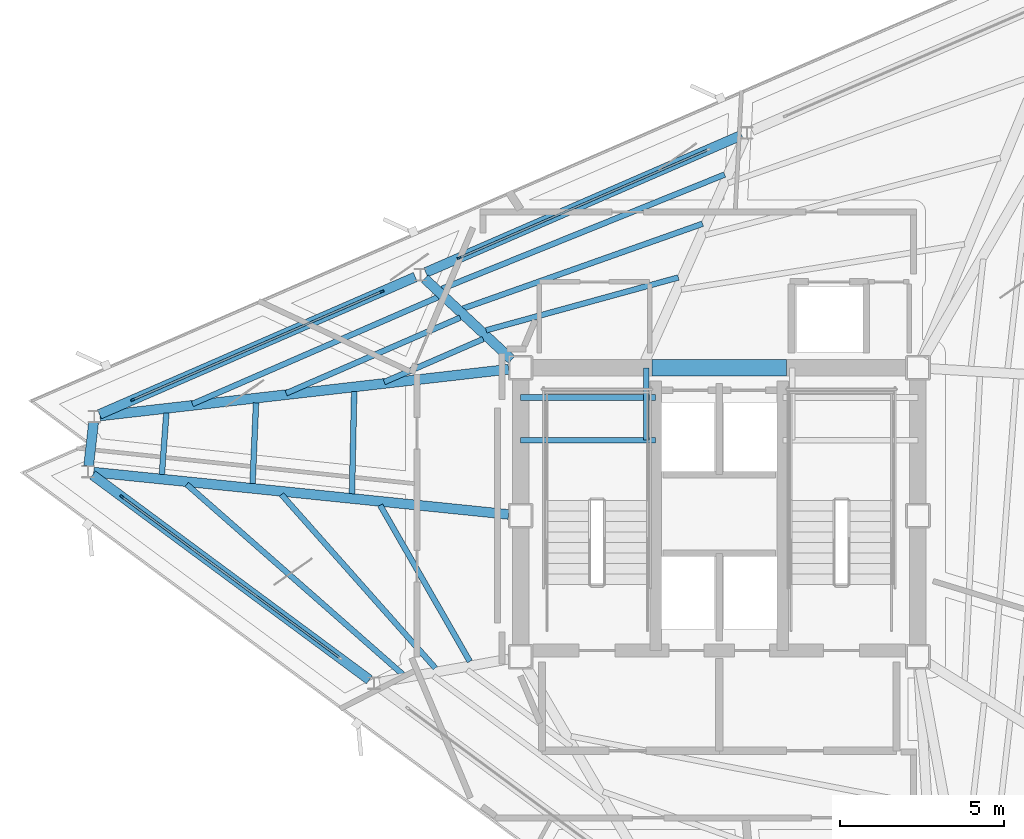
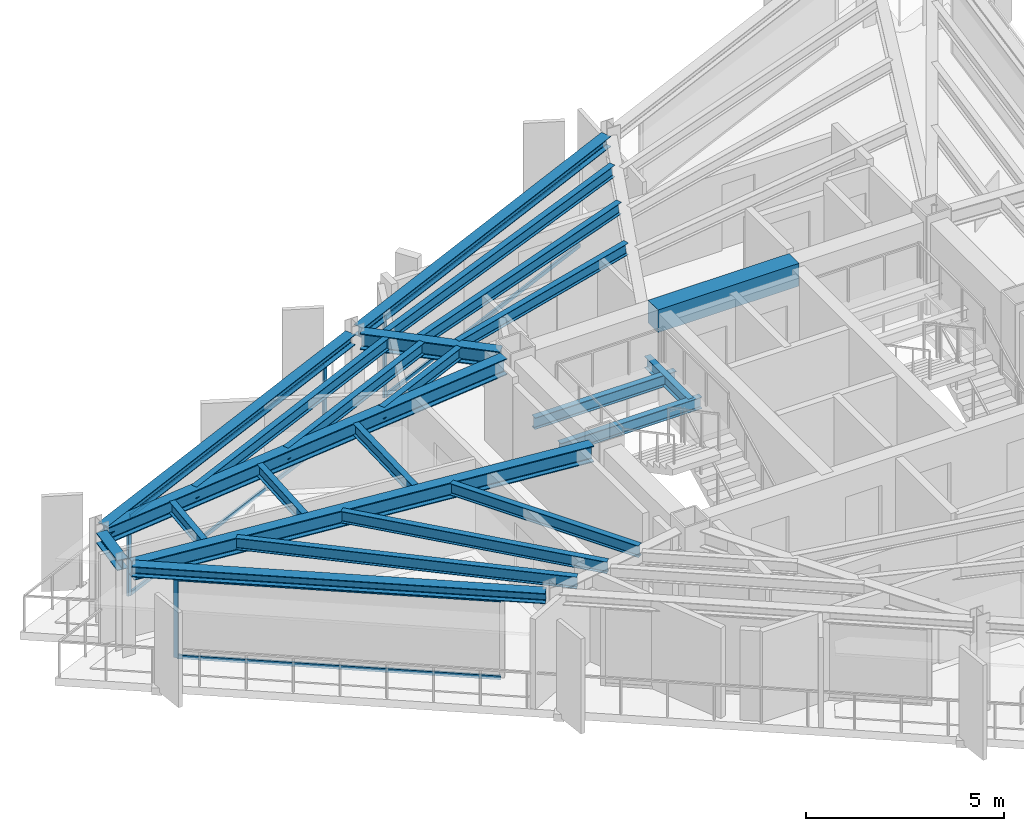
# One storey, part 3 of 10: 23 beams, 10 members, 3 elements without a shape of their own.
"""IFC4 building model written with IfcOpenShell, lengths in metres."""

from ifc_helpers import new_model, si_unit, direction, frame, origin, origin_2d, place, context, subcontext, project, spatial, rectangle, i_section, extrude, material, layer, layer_set, material_profile, profile_set, type_object, element, aggregate, save


model = new_model("IFC4")

# Units and contexts
model_context = context("Model", 3, precision=1e-05, world=origin(), true_north=direction((0.0, 1.0)))
body_context = subcontext(model_context, "Body", "Model", "MODEL_VIEW")
ifc_project = project(units=[si_unit("LENGTHUNIT", "METRE"), si_unit("AREAUNIT", "SQUARE_METRE"), si_unit("VOLUMEUNIT", "CUBIC_METRE"), si_unit("PLANEANGLEUNIT", "RADIAN"), si_unit("MASSUNIT", "GRAM", prefix="KILO")], contexts=[model_context])

# Site, building, storey
site_placement = place(None, origin())
site = spatial("IfcSite", under=ifc_project, at=site_placement, CompositionType="ELEMENT")
building_placement = place(site_placement, origin())
building = spatial("IfcBuilding", under=site, at=building_placement, Name="Rocaltana Carrier Exchange", CompositionType="ELEMENT")
storey_placement = place(building_placement, frame((0.0, 0.0, 230.080078125)))
storey = spatial("IfcBuildingStorey", under=building, at=storey_placement, Name="L73", CompositionType="ELEMENT", Elevation=230.080078125)

# Curtain wall, member
ifc_material_1 = material(Name="Aluminium 6063-T6", Category="aluminium")
ifc_layer = layer(ifc_material_1, 0.1201171875)
ifc_layer_set = layer_set([ifc_layer], Name="Aluminium 6063-T6")
curtain_wall_type = type_object("IfcCurtainWallType", Name="High-Altitude Thermal Curtain Wall CW-05", PredefinedType="NOTDEFINED", material=ifc_layer_set)
curtain_wall_1_placement = place(storey_placement, origin())
curtain_wall_1 = element("IfcCurtainWall", 1, at=curtain_wall_1_placement, inside=storey, type_object=curtain_wall_type, Name="L73 CW-05 Run CW-L73-F2S2", PredefinedType="NOTDEFINED")
ifc_material_2 = material(Name="Aluminium 6063-T6", Category="aluminium")
ifc_material_profile_1 = material_profile(ifc_material_2, rectangle(XDim=0.06005859375, YDim=0.1201171875, at=origin_2d()), Name="AL-60X120")
ifc_profile_set_1 = profile_set([ifc_material_profile_1], Name="Aluminium 6063-T6")
member_type_1 = type_object("IfcMemberType", Name="CW-05 Mullion AL-60X120", PredefinedType="MULLION", material=ifc_profile_set_1)
member_1_placement = place(storey_placement, frame((-7.922607421875, 7.846435546875, 0.0), z_axis=(0.0, 0.0, 1.0), x_axis=(0.398752438254, -0.917058609352, 0.0)))
member_1 = element("IfcMember", 2, at=member_1_placement, type_object=member_type_1, Name="CW-05 mullion 2", PredefinedType="MULLION", context=body_context, shape_type="SweptSolid", body=[
    extrude(rectangle(XDim=0.06005859375, YDim=0.1201171875, at=origin_2d()), origin(), (0.0, 0.0, 1.0), 2.447998046875),
])

# Curtain wall, members
curtain_wall_2_placement = place(storey_placement, origin())
curtain_wall_2 = element("IfcCurtainWall", 3, at=curtain_wall_2_placement, inside=storey, type_object=curtain_wall_type, Name="L73 CW-05 Run CW-L73-F2S3", PredefinedType="NOTDEFINED")
member_2_placement = place(storey_placement, frame((-10.270263671875, 6.82568359375, 0.0), z_axis=(0.0, 0.0, 1.0), x_axis=(0.39875682637, -0.917056701313, 0.0)))
member_2 = element("IfcMember", 4, at=member_2_placement, type_object=member_type_1, Name="CW-05 mullion 1", PredefinedType="MULLION", context=body_context, shape_type="SweptSolid", body=[
    extrude(rectangle(XDim=0.06005859375, YDim=0.1201171875, at=origin_2d()), origin(), (0.0, 0.0, 1.0), 2.447998046875),
])
member_3_placement = place(storey_placement, frame((-17.857421875, 3.526611328125, 0.0), z_axis=(0.0, 0.0, 1.0), x_axis=(0.39875682637, -0.917056701313, 0.0)))
member_3 = element("IfcMember", 5, at=member_3_placement, type_object=member_type_1, Name="CW-05 mullion 2", PredefinedType="MULLION", context=body_context, shape_type="SweptSolid", body=[
    extrude(rectangle(XDim=0.06005859375, YDim=0.1201171875, at=origin_2d()), origin(), (0.0, 0.0, 1.0), 2.447998046875),
])

# Curtain wall, member
curtain_wall_3_placement = place(storey_placement, origin())
curtain_wall_3 = element("IfcCurtainWall", 6, at=curtain_wall_3_placement, inside=storey, type_object=curtain_wall_type, Name="L73 CW-05 Run CW-L73-F3S1", PredefinedType="NOTDEFINED")
member_4_placement = place(storey_placement, frame((-18.19287109375, 0.580810546875, 0.0), z_axis=(0.0, 0.0, 1.0), x_axis=(0.594826566974, 0.803854063386, 0.0)))
member_4 = element("IfcMember", 7, at=member_4_placement, type_object=member_type_1, Name="CW-05 mullion 1", PredefinedType="MULLION", context=body_context, shape_type="SweptSolid", body=[
    extrude(rectangle(XDim=0.06005859375, YDim=0.1201171875, at=origin_2d()), origin(), (0.0, 0.0, 1.0), 2.447998046875),
])

# Member
ifc_material_3 = material(Name="Aluminium 6063-T6", Category="aluminium")
ifc_material_profile_2 = material_profile(ifc_material_3, rectangle(XDim=0.06005859375, YDim=0.1201171875, at=origin_2d()), Name="AL-60X120")
ifc_profile_set_2 = profile_set([ifc_material_profile_2], Name="Aluminium 6063-T6")
member_type_2 = type_object("IfcMemberType", Name="CW-05 Transom AL-60X120", PredefinedType="USERDEFINED", material=ifc_profile_set_2)
member_5_placement = place(storey_placement, frame((-0.36279296875, 11.133544921875, 0.030029296875), z_axis=(-0.917058241688, -0.398753283814, 0.0), x_axis=(0.398753283814, -0.917058241688, 0.0)))
member_5 = element("IfcMember", 8, at=member_5_placement, type_object=member_type_2, Name="CW-05 transom 1.1", ObjectType="TRANSOM", PredefinedType="USERDEFINED", context=body_context, shape_type="SweptSolid", body=[
    extrude(rectangle(XDim=0.06005859375, YDim=0.1201171875, at=origin_2d()), origin(), (0.0, 0.0, 1.0), 8.21337890625),
])

member_6_placement = place(storey_placement, frame((-0.36279296875, 11.133544921875, 2.41796875), z_axis=(-0.917058241688, -0.398753283814, 0.0), x_axis=(0.398753283814, -0.917058241688, 0.0)))
member_6 = element("IfcMember", 9, at=member_6_placement, type_object=member_type_2, Name="CW-05 transom 1.2", ObjectType="TRANSOM", PredefinedType="USERDEFINED", context=body_context, shape_type="SweptSolid", body=[
    extrude(rectangle(XDim=0.06005859375, YDim=0.1201171875, at=origin_2d()), origin(), (0.0, 0.0, 1.0), 8.21337890625),
])

aggregate(curtain_wall_1, [member_1, member_5, member_6])

member_7_placement = place(storey_placement, frame((-10.297607421875, 6.813720703125, 0.030029296875), z_axis=(-0.917058241688, -0.398753283814, 0.0), x_axis=(0.398753283814, -0.917058241688, 0.0)))
member_7 = element("IfcMember", 10, at=member_7_placement, type_object=member_type_2, Name="CW-05 transom 1.1", ObjectType="TRANSOM", PredefinedType="USERDEFINED", context=body_context, shape_type="SweptSolid", body=[
    extrude(rectangle(XDim=0.06005859375, YDim=0.1201171875, at=origin_2d()), origin(), (0.0, 0.0, 1.0), 8.21337890625),
])

member_8_placement = place(storey_placement, frame((-10.297607421875, 6.813720703125, 2.41796875), z_axis=(-0.917058241688, -0.398753283814, 0.0), x_axis=(0.398753283814, -0.917058241688, 0.0)))
member_8 = element("IfcMember", 11, at=member_8_placement, type_object=member_type_2, Name="CW-05 transom 1.2", ObjectType="TRANSOM", PredefinedType="USERDEFINED", context=body_context, shape_type="SweptSolid", body=[
    extrude(rectangle(XDim=0.06005859375, YDim=0.1201171875, at=origin_2d()), origin(), (0.0, 0.0, 1.0), 8.21337890625),
])

aggregate(curtain_wall_2, [member_2, member_3, member_7, member_8])

member_9_placement = place(storey_placement, frame((-18.1689453125, 0.56298828125, 0.030029296875), z_axis=(0.803853553959, -0.594827255418, 0.0), x_axis=(0.594827255418, 0.803853553959, 0.0)))
member_9 = element("IfcMember", 12, at=member_9_placement, type_object=member_type_2, Name="CW-05 transom 1.1", ObjectType="TRANSOM", PredefinedType="USERDEFINED", context=body_context, shape_type="SweptSolid", body=[
    extrude(rectangle(XDim=0.06005859375, YDim=0.1201171875, at=origin_2d()), origin(), (0.0, 0.0, 1.0), 8.21337890625),
])

member_10_placement = place(storey_placement, frame((-18.1689453125, 0.56298828125, 2.41796875), z_axis=(0.803853553959, -0.594827255418, 0.0), x_axis=(0.594827255418, 0.803853553959, 0.0)))
member_10 = element("IfcMember", 13, at=member_10_placement, type_object=member_type_2, Name="CW-05 transom 1.2", ObjectType="TRANSOM", PredefinedType="USERDEFINED", context=body_context, shape_type="SweptSolid", body=[
    extrude(rectangle(XDim=0.06005859375, YDim=0.1201171875, at=origin_2d()), origin(), (0.0, 0.0, 1.0), 8.21337890625),
])

aggregate(curtain_wall_3, [member_4, member_9, member_10])

# Beams
ifc_material_4 = material(Name="Concrete C60/75", Category="concrete")
ifc_material_profile_3 = material_profile(ifc_material_4, rectangle(XDim=0.5, YDim=0.699951171875, at=origin_2d()), Name="RC-BM-500X700")
ifc_profile_set_3 = profile_set([ifc_material_profile_3], Name="Concrete C60/75")
beam_type_1 = type_object("IfcBeamType", Name="Core Coupling Lintel 500x700", PredefinedType="LINTEL", material=ifc_profile_set_3)
beam_1_placement = place(storey_placement, frame((-2.050048828125, 4.5, 2.447998046875), z_axis=(1.0, 0.0, 0.0), x_axis=(0.0, 1.0, 0.0)))
element("IfcBeam", 14, at=beam_1_placement, inside=storey, type_object=beam_type_1, Name="L73 Core Coupling Lintel CL-N", PredefinedType="LINTEL", context=body_context, shape_type="SweptSolid", body=[
    extrude(rectangle(XDim=0.5, YDim=0.699951171875, at=origin_2d()), origin(), (0.0, 0.0, 1.0), 4.10009765625),
])
ifc_material_5 = material(Name="Steel S355", Category="steel")
ifc_material_profile_4 = material_profile(ifc_material_5, i_section(OverallWidth=0.172119140625, OverallDepth=0.35791015625, WebThickness=0.0078125, FlangeThickness=0.01318359375, FilletRadius=0.011962890625, at=origin_2d()), Name="W14X38")
ifc_profile_set_4 = profile_set([ifc_material_profile_4], Name="Steel S355")
beam_type_2 = type_object("IfcBeamType", Name="Floor Joist W14X38", PredefinedType="JOIST", material=ifc_profile_set_4)
for number, where, z_axis, x_axis, name in (
    (15, (-6.050048828125, 2.300048828125, 1.140869140625), (1.0, 0.0, 0.0), (0.0, 1.0, 0.0), "L73 ST-1 Landing Carrier 1"),
    (16, (-6.050048828125, 3.60009765625, 1.140869140625), (1.0, 0.0, 0.0), (0.0, 1.0, 0.0), "L73 ST-1 Landing Carrier 2"),
):
    element("IfcBeam", number, at=place(storey_placement, frame(where, z_axis=z_axis, x_axis=x_axis)), inside=storey, type_object=beam_type_2, Name=name, PredefinedType="JOIST", context=body_context, shape_type="SweptSolid", body=[
        extrude(i_section(OverallWidth=0.172119140625, OverallDepth=0.35791015625, WebThickness=0.0078125, FlangeThickness=0.01318359375, FilletRadius=0.011962890625, at=origin_2d()), origin(), (0.0, 0.0, 1.0), 4.110107421875),
    ])
beam_2_placement = place(storey_placement, frame((-2.219970703125, 2.300048828125, 1.140869140625), z_axis=(0.0, 1.0, 0.0), x_axis=(-1.0, 0.0, 0.0)))
element("IfcBeam", 17, at=beam_2_placement, inside=storey, type_object=beam_type_2, Name="L73 ST-1 Landing Cross Trimmer", PredefinedType="JOIST", context=body_context, shape_type="SweptSolid", body=[
    extrude(i_section(OverallWidth=0.172119140625, OverallDepth=0.35791015625, WebThickness=0.0078125, FlangeThickness=0.01318359375, FilletRadius=0.011962890625, at=origin_2d()), origin(), (0.0, 0.0, 1.0), 2.199951171875),
])
beam_3_placement = place(storey_placement, frame((-1.245361328125, 7.252685546875, 2.618896484375), z_axis=(-0.964263719162, -0.26494429586, 0.0), x_axis=(0.26494429586, -0.964263719162, 0.0)))
element("IfcBeam", 18, at=beam_3_placement, inside=storey, type_object=beam_type_2, Name="FJ-L73-06-1", PredefinedType="JOIST", context=body_context, shape_type="SweptSolid", body=[
    extrude(i_section(OverallWidth=0.172119140625, OverallDepth=0.35791015625, WebThickness=0.0078125, FlangeThickness=0.01318359375, FilletRadius=0.011962890625, at=origin_2d()), origin(), (0.0, 0.0, 1.0), 6.07080078125),
])
beam_4_placement = place(storey_placement, frame((-0.5087890625, 8.888427734375, 2.618896484375), z_axis=(-0.942681203014, -0.333694695019, 0.0), x_axis=(0.333694695019, -0.942681203014, 0.0)))
element("IfcBeam", 19, at=beam_4_placement, inside=storey, type_object=beam_type_2, Name="FJ-L73-06-2", PredefinedType="JOIST", context=body_context, shape_type="SweptSolid", body=[
    extrude(i_section(OverallWidth=0.172119140625, OverallDepth=0.35791015625, WebThickness=0.0078125, FlangeThickness=0.01318359375, FilletRadius=0.011962890625, at=origin_2d()), origin(), (0.0, 0.0, 1.0), 7.73779296875),
])
beam_5_placement = place(storey_placement, frame((0.162841796875, 10.385498046875, 2.618896484375), z_axis=(-0.927185285553, -0.374603051582, 0.0), x_axis=(0.374603051582, -0.927185285553, 0.0)))
element("IfcBeam", 20, at=beam_5_placement, inside=storey, type_object=beam_type_2, Name="FJ-L73-06-3", PredefinedType="JOIST", context=body_context, shape_type="SweptSolid", body=[
    extrude(i_section(OverallWidth=0.172119140625, OverallDepth=0.35791015625, WebThickness=0.0078125, FlangeThickness=0.01318359375, FilletRadius=0.011962890625, at=origin_2d()), origin(), (0.0, 0.0, 1.0), 9.283935546875),
])
beam_6_placement = place(storey_placement, frame((-7.1875, 5.37841796875, 2.618896484375), z_axis=(-0.917065332478, -0.398736975923, 0.0), x_axis=(0.398736975923, -0.917065332478, 0.0)))
element("IfcBeam", 21, at=beam_6_placement, inside=storey, type_object=beam_type_2, Name="FJ-L73-07-1", PredefinedType="JOIST", context=body_context, shape_type="SweptSolid", body=[
    extrude(i_section(OverallWidth=0.172119140625, OverallDepth=0.35791015625, WebThickness=0.0078125, FlangeThickness=0.01318359375, FilletRadius=0.011962890625, at=origin_2d()), origin(), (0.0, 0.0, 1.0), 3.286865234375),
])
beam_7_placement = place(storey_placement, frame((-7.887939453125, 6.03076171875, 2.618896484375), z_axis=(-0.917067369584, -0.398732290696, 0.0), x_axis=(0.398732290696, -0.917067369584, 0.0)))
element("IfcBeam", 22, at=beam_7_placement, inside=storey, type_object=beam_type_2, Name="FJ-L73-07-2", PredefinedType="JOIST", context=body_context, shape_type="SweptSolid", body=[
    extrude(i_section(OverallWidth=0.172119140625, OverallDepth=0.35791015625, WebThickness=0.0078125, FlangeThickness=0.01318359375, FilletRadius=0.011962890625, at=origin_2d()), origin(), (0.0, 0.0, 1.0), 5.77880859375),
])
beam_8_placement = place(storey_placement, frame((-8.55810546875, 6.65478515625, 2.618896484375), z_axis=(-0.917059118447, -0.398751267426, 0.0), x_axis=(0.398751267426, -0.917059118447, 0.0)))
element("IfcBeam", 23, at=beam_8_placement, inside=storey, type_object=beam_type_2, Name="FJ-L73-07-3", PredefinedType="JOIST", context=body_context, shape_type="SweptSolid", body=[
    extrude(i_section(OverallWidth=0.172119140625, OverallDepth=0.35791015625, WebThickness=0.0078125, FlangeThickness=0.01318359375, FilletRadius=0.011962890625, at=origin_2d()), origin(), (0.0, 0.0, 1.0), 8.162109375),
])
beam_9_placement = place(storey_placement, frame((-11.11572265625, 3.77734375, 2.618896484375), z_axis=(-0.021897715524, -0.999760216279, 0.0), x_axis=(0.999760216279, -0.021897715524, 0.0)))
element("IfcBeam", 24, at=beam_9_placement, inside=storey, type_object=beam_type_2, Name="FJ-L73-08-1", PredefinedType="JOIST", context=body_context, shape_type="SweptSolid", body=[
    extrude(i_section(OverallWidth=0.172119140625, OverallDepth=0.35791015625, WebThickness=0.0078125, FlangeThickness=0.01318359375, FilletRadius=0.011962890625, at=origin_2d()), origin(), (0.0, 0.0, 1.0), 3.110595703125),
])
beam_10_placement = place(storey_placement, frame((-14.1044921875, 3.436279296875, 2.618896484375), z_axis=(-0.04302848557, -0.999073845834, 0.0), x_axis=(0.999073845834, -0.04302848557, 0.0)))
element("IfcBeam", 25, at=beam_10_placement, inside=storey, type_object=beam_type_2, Name="FJ-L73-08-2", PredefinedType="JOIST", context=body_context, shape_type="SweptSolid", body=[
    extrude(i_section(OverallWidth=0.172119140625, OverallDepth=0.35791015625, WebThickness=0.0078125, FlangeThickness=0.01318359375, FilletRadius=0.011962890625, at=origin_2d()), origin(), (0.0, 0.0, 1.0), 2.46240234375),
])
beam_11_placement = place(storey_placement, frame((-16.8349609375, 3.124755859375, 2.618896484375), z_axis=(-0.07328566638, -0.997310990165, 0.0), x_axis=(0.997310990165, -0.07328566638, 0.0)))
element("IfcBeam", 26, at=beam_11_placement, inside=storey, type_object=beam_type_2, Name="FJ-L73-08-3", PredefinedType="JOIST", context=body_context, shape_type="SweptSolid", body=[
    extrude(i_section(OverallWidth=0.172119140625, OverallDepth=0.35791015625, WebThickness=0.0078125, FlangeThickness=0.01318359375, FilletRadius=0.011962890625, at=origin_2d()), origin(), (0.0, 0.0, 1.0), 1.872314453125),
])
beam_12_placement = place(storey_placement, frame((-10.3251953125, 0.318115234375, 2.618896484375), z_axis=(0.497781973969, -0.867302200153, 0.0), x_axis=(0.867302200153, 0.497781973969, 0.0)))
element("IfcBeam", 27, at=beam_12_placement, inside=storey, type_object=beam_type_2, Name="FJ-L73-09-1", PredefinedType="JOIST", context=body_context, shape_type="SweptSolid", body=[
    extrude(i_section(OverallWidth=0.172119140625, OverallDepth=0.35791015625, WebThickness=0.0078125, FlangeThickness=0.01318359375, FilletRadius=0.011962890625, at=origin_2d()), origin(), (0.0, 0.0, 1.0), 5.48583984375),
])
beam_13_placement = place(storey_placement, frame((-13.330810546875, 0.643798828125, 2.618896484375), z_axis=(0.663404294512, -0.748261145605, 0.0), x_axis=(0.748261145605, 0.663404294512, 0.0)))
element("IfcBeam", 28, at=beam_13_placement, inside=storey, type_object=beam_type_2, Name="FJ-L73-09-2", PredefinedType="JOIST", context=body_context, shape_type="SweptSolid", body=[
    extrude(i_section(OverallWidth=0.172119140625, OverallDepth=0.35791015625, WebThickness=0.0078125, FlangeThickness=0.01318359375, FilletRadius=0.011962890625, at=origin_2d()), origin(), (0.0, 0.0, 1.0), 7.063232421875),
])
beam_14_placement = place(storey_placement, frame((-16.2158203125, 0.951904296875, 2.618896484375), z_axis=(0.750985569643, -0.66031861566, 0.0), x_axis=(0.66031861566, 0.750985569643, 0.0)))
element("IfcBeam", 29, at=beam_14_placement, inside=storey, type_object=beam_type_2, Name="FJ-L73-09-3", PredefinedType="JOIST", context=body_context, shape_type="SweptSolid", body=[
    extrude(i_section(OverallWidth=0.172119140625, OverallDepth=0.35791015625, WebThickness=0.0078125, FlangeThickness=0.01318359375, FilletRadius=0.011962890625, at=origin_2d()), origin(), (0.0, 0.0, 1.0), 8.7568359375),
])
ifc_material_6 = material(Name="Steel S355", Category="steel")
ifc_material_profile_5 = material_profile(ifc_material_6, i_section(OverallWidth=0.300048828125, OverallDepth=0.320068359375, WebThickness=0.011474609375, FlangeThickness=0.0205078125, FilletRadius=0.027099609375, at=origin_2d()), Name="HEB320")
ifc_profile_set_5 = profile_set([ifc_material_profile_5], Name="Steel S355")
beam_type_3 = type_object("IfcBeamType", Name="Spandrel Edge Beam HEB320", PredefinedType="SPANDREL", material=ifc_profile_set_5)
beam_15_placement = place(storey_placement, frame((0.678955078125, 11.58642578125, 2.637939453125), z_axis=(-0.917064503536, -0.398738882421, 0.0), x_axis=(0.398738882421, -0.917064503536, 0.0)))
element("IfcBeam", 30, at=beam_15_placement, inside=storey, type_object=beam_type_3, Name="SP-L73-06", PredefinedType="SPANDREL", context=body_context, shape_type="SweptSolid", body=[
    extrude(i_section(OverallWidth=0.300048828125, OverallDepth=0.320068359375, WebThickness=0.011474609375, FlangeThickness=0.0205078125, FilletRadius=0.027099609375, at=origin_2d()), origin(), (0.0, 0.0, 1.0), 10.4853515625),
])
beam_16_placement = place(storey_placement, frame((-9.256103515625, 7.2666015625, 2.637939453125), z_axis=(-0.917060801428, -0.398747396838, 0.0), x_axis=(0.398747396838, -0.917060801428, 0.0)))
element("IfcBeam", 31, at=beam_16_placement, inside=storey, type_object=beam_type_3, Name="SP-L73-07", PredefinedType="SPANDREL", context=body_context, shape_type="SweptSolid", body=[
    extrude(i_section(OverallWidth=0.300048828125, OverallDepth=0.320068359375, WebThickness=0.011474609375, FlangeThickness=0.0205078125, FilletRadius=0.027099609375, at=origin_2d()), origin(), (0.0, 0.0, 1.0), 10.485107421875),
])
beam_17_placement = place(storey_placement, frame((-19.05078125, 2.84326171875, 2.637939453125), z_axis=(-0.113216978155, -0.993570287326, 0.0), x_axis=(0.993570287326, -0.113216978155, 0.0)))
element("IfcBeam", 32, at=beam_17_placement, inside=storey, type_object=beam_type_3, Name="SP-L73-08", PredefinedType="SPANDREL", context=body_context, shape_type="SweptSolid", body=[
    extrude(i_section(OverallWidth=0.300048828125, OverallDepth=0.320068359375, WebThickness=0.011474609375, FlangeThickness=0.0205078125, FilletRadius=0.027099609375, at=origin_2d()), origin(), (0.0, 0.0, 1.0), 1.3369140625),
])
beam_18_placement = place(storey_placement, frame((-19.08203125, 1.238525390625, 2.637939453125), z_axis=(0.80386149379, -0.594816525326, 0.0), x_axis=(0.594816525326, 0.80386149379, 0.0)))
element("IfcBeam", 33, at=beam_18_placement, inside=storey, type_object=beam_type_3, Name="SP-L73-09", PredefinedType="SPANDREL", context=body_context, shape_type="SweptSolid", body=[
    extrude(i_section(OverallWidth=0.300048828125, OverallDepth=0.320068359375, WebThickness=0.011474609375, FlangeThickness=0.0205078125, FilletRadius=0.027099609375, at=origin_2d()), origin(), (0.0, 0.0, 1.0), 10.4853515625),
])
ifc_material_7 = material(Name="Steel S355", Category="steel")
ifc_material_profile_6 = material_profile(ifc_material_7, i_section(OverallWidth=0.300048828125, OverallDepth=0.5, WebThickness=0.014404296875, FlangeThickness=0.028076171875, FilletRadius=0.027099609375, at=origin_2d()), Name="HEB500")
ifc_profile_set_6 = profile_set([ifc_material_profile_6], Name="Steel S355")
beam_type_4 = type_object("IfcBeamType", Name="Upper Radial Girder HEB500", PredefinedType="BEAM", material=ifc_profile_set_6)
beam_19_placement = place(storey_placement, frame((-6.318603515625, 4.75, 2.5478515625), z_axis=(-0.731938033682, 0.681371201952, 0.0), x_axis=(-0.681371201952, -0.731938033682, 0.0)))
element("IfcBeam", 34, at=beam_19_placement, inside=storey, type_object=beam_type_4, Name="RG-L73-07", PredefinedType="BEAM", context=body_context, shape_type="SweptSolid", body=[
    extrude(i_section(OverallWidth=0.300048828125, OverallDepth=0.5, WebThickness=0.014404296875, FlangeThickness=0.028076171875, FilletRadius=0.027099609375, at=origin_2d()), origin(), (0.0, 0.0, 1.0), 3.62109375),
])
beam_20_placement = place(storey_placement, frame((-6.41455078125, 4.458251953125, 2.5478515625), z_axis=(-0.993530787672, -0.113563083559, 0.0), x_axis=(0.113563083559, -0.993530787672, 0.0)))
element("IfcBeam", 35, at=beam_20_placement, inside=storey, type_object=beam_type_4, Name="RG-L73-08", PredefinedType="BEAM", context=body_context, shape_type="SweptSolid", body=[
    extrude(i_section(OverallWidth=0.300048828125, OverallDepth=0.5, WebThickness=0.014404296875, FlangeThickness=0.028076171875, FilletRadius=0.027099609375, at=origin_2d()), origin(), (0.0, 0.0, 1.0), 12.52490234375),
])
beam_21_placement = place(storey_placement, frame((-6.4150390625, 0.037109375, 2.5478515625), z_axis=(-0.994848515537, 0.101372733679, 0.0), x_axis=(-0.101372733679, -0.994848515537, 0.0)))
element("IfcBeam", 36, at=beam_21_placement, inside=storey, type_object=beam_type_4, Name="RG-L73-09", PredefinedType="BEAM", context=body_context, shape_type="SweptSolid", body=[
    extrude(i_section(OverallWidth=0.300048828125, OverallDepth=0.5, WebThickness=0.014404296875, FlangeThickness=0.028076171875, FilletRadius=0.027099609375, at=origin_2d()), origin(), (0.0, 0.0, 1.0), 12.69921875),
])

save(model, "model.ifc")
